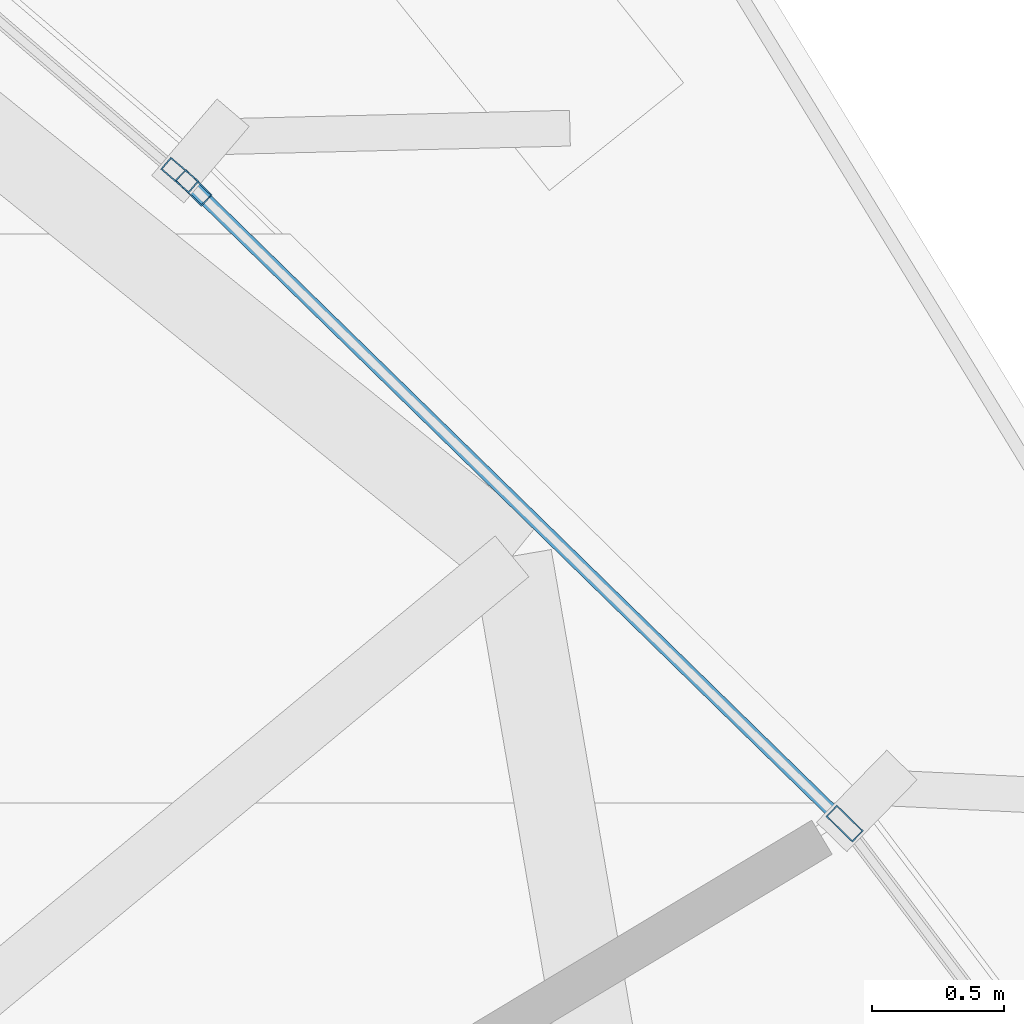
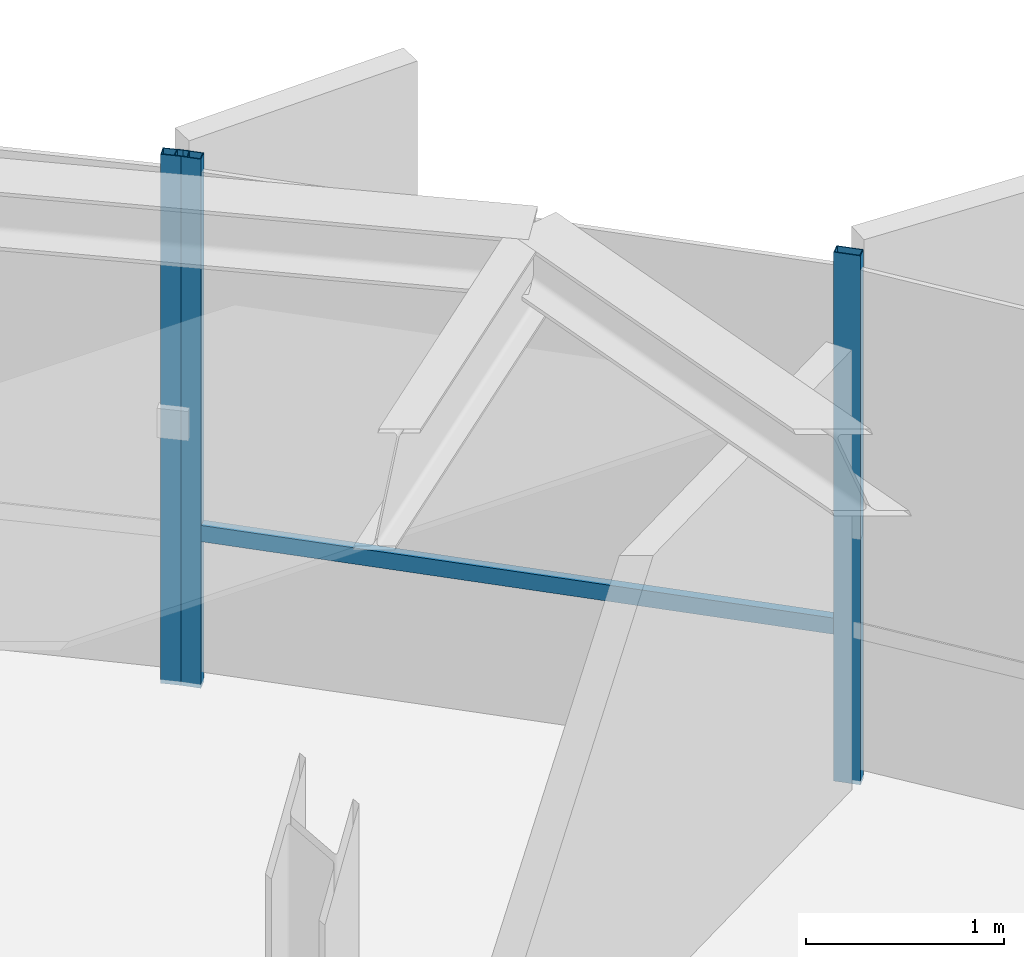
# One storey, part 25 of 34: 4 members, 2 elements without a shape of their own.
"""IFC4 building model written with IfcOpenShell, lengths in metres."""

from ifc_helpers import new_model, si_unit, direction, frame, origin, origin_2d, place, context, subcontext, project, spatial, hollow_rectangle, extrude, source, transform, mapped, material, layer, layer_set, material_profile, profile_set, type_object, element, aggregate, save


model = new_model("IFC4")

# Units and contexts
model_context = context("Model", 3, precision=1e-05, world=origin(), true_north=direction((0.0, 1.0)))
body_context = subcontext(model_context, "Body", "Model", "MODEL_VIEW")
ifc_project = project(units=[si_unit("LENGTHUNIT", "METRE"), si_unit("AREAUNIT", "SQUARE_METRE"), si_unit("VOLUMEUNIT", "CUBIC_METRE"), si_unit("PLANEANGLEUNIT", "RADIAN"), si_unit("MASSUNIT", "GRAM", prefix="KILO"), si_unit("THERMODYNAMICTEMPERATUREUNIT", "KELVIN")], contexts=[model_context])

# Site, building, storey
site_placement = place(None, origin())
site = spatial("IfcSite", under=ifc_project, at=site_placement, CompositionType="ELEMENT")
building_placement = place(site_placement, origin())
building = spatial("IfcBuilding", under=site, at=building_placement, Name="Kethvar Cultural Tower", CompositionType="ELEMENT")
storey_placement = place(building_placement, frame((0.0, 0.0, 190.39990234375)))
storey = spatial("IfcBuildingStorey", under=building, at=storey_placement, Name="L49", CompositionType="ELEMENT", Elevation=190.39990234375)

# Curtain wall, member
ifc_material = material(Name="Aluminium 6063-T6", Category="aluminium")
ifc_layer = layer(ifc_material, 0.179931640625, Name="Aluminium 6063-T6", Category="aluminium")
ifc_layer_set = layer_set([ifc_layer], Name="Aluminium 6063-T6 (180 mm)")
curtain_wall_type = type_object("IfcCurtainWallType", Name="CW-SYS-04-Z34", PredefinedType="NOTDEFINED", material=ifc_layer_set)
curtain_wall_1_placement = place(storey_placement, origin())
curtain_wall_1 = element("IfcCurtainWall", 1, at=curtain_wall_1_placement, inside=storey, type_object=curtain_wall_type, Name="L49 Curtain Wall Run 01", PredefinedType="NOTDEFINED")
ifc_material_profile_1 = material_profile(ifc_material, hollow_rectangle(XDim=0.06005859375, YDim=0.139892578125, WallThickness=0.0048828125, at=origin_2d()), Name="Aluminium 6063-T6 — RHS140x60x5")
ifc_profile_set_1 = profile_set([ifc_material_profile_1], Name="Aluminium 6063-T6 — RHS140x60x5")
member_type_1 = type_object("IfcMemberType", Name="CW-SYS-04-Z34-MUL", PredefinedType="MULLION", material=ifc_profile_set_1)
shared_shape_1 = source(origin(), body_context, "Body", "SweptSolid", [
    extrude(hollow_rectangle(XDim=0.06005859375, YDim=0.139892578125, WallThickness=0.0048828125, at=origin_2d()), origin(), (0.0, 0.0, 1.0), 3.260009765625),
])
member_1_placement = place(storey_placement, frame((66.714599609375, 43.77734375, 0.0), z_axis=(0.0, 0.0, 1.0), x_axis=(-0.65024398735, -0.759725448379, 0.0)))
member_1 = element("IfcMember", 2, at=member_1_placement, type_object=member_type_1, Name="CW-L49-R01 Mullion 1", PredefinedType="MULLION", context=body_context, shape_type="MappedRepresentation", body=[
    mapped(shared_shape_1, transform((0.0, 0.0, 0.0), scale=1.0)),
])
aggregate(curtain_wall_1, [member_1])

# Curtain wall, members
curtain_wall_2_placement = place(storey_placement, origin())
curtain_wall_2 = element("IfcCurtainWall", 3, at=curtain_wall_2_placement, inside=storey, type_object=curtain_wall_type, Name="L49 Curtain Wall Run 07", PredefinedType="NOTDEFINED")
member_2_placement = place(storey_placement, frame((69.224853515625, 41.32861328125, 0.0), z_axis=(0.0, 0.0, 1.0), x_axis=(-0.698739984571, -0.715375729223, 0.0)))
member_2 = element("IfcMember", 4, at=member_2_placement, type_object=member_type_1, Name="CW-L49-R07 Mullion 4", PredefinedType="MULLION", context=body_context, shape_type="MappedRepresentation", body=[
    mapped(shared_shape_1, transform((0.0, 0.0, 0.0), scale=1.0)),
])
member_3_placement = place(storey_placement, frame((66.7666015625, 43.729736328125, 0.0), z_axis=(0.0, 0.0, 1.0), x_axis=(-0.698739984571, -0.715375729223, 0.0)))
member_3 = element("IfcMember", 5, at=member_3_placement, type_object=member_type_1, Name="CW-L49-R07 Mullion 5", PredefinedType="MULLION", context=body_context, shape_type="MappedRepresentation", body=[
    mapped(shared_shape_1, transform((0.0, 0.0, 0.0), scale=1.0)),
])
ifc_material_profile_2 = material_profile(ifc_material, hollow_rectangle(XDim=0.050048828125, YDim=0.10009765625, WallThickness=0.00390625, at=origin_2d()), Name="Aluminium 6063-T6 — RHS100x50x4")
ifc_profile_set_2 = profile_set([ifc_material_profile_2], Name="Aluminium 6063-T6 — RHS100x50x4")
member_type_2 = type_object("IfcMemberType", Name="CW-SYS-04-Z34-TRN", PredefinedType="USERDEFINED", material=ifc_profile_set_2)
shared_shape_2 = source(origin(), body_context, "Body", "SweptSolid", [
    extrude(hollow_rectangle(XDim=0.050048828125, YDim=0.10009765625, WallThickness=0.00390625, at=origin_2d()), origin(), (0.0, 0.0, 1.0), 3.388916015625),
])
member_4_placement = place(storey_placement, frame((69.194091796875, 41.35888671875, 0.9501953125), z_axis=(-0.715378691604, 0.698736951648, 0.0), x_axis=(-0.698736951648, -0.715378691604, 0.0)))
member_4 = element("IfcMember", 6, at=member_4_placement, type_object=member_type_2, Name="CW-L49-R07 Transom 4", ObjectType="TRANSOM", PredefinedType="USERDEFINED", context=body_context, shape_type="MappedRepresentation", body=[
    mapped(shared_shape_2, transform((0.0, 0.0, 0.0), scale=1.0)),
])
aggregate(curtain_wall_2, [member_2, member_3, member_4])

save(model, "model.ifc")
